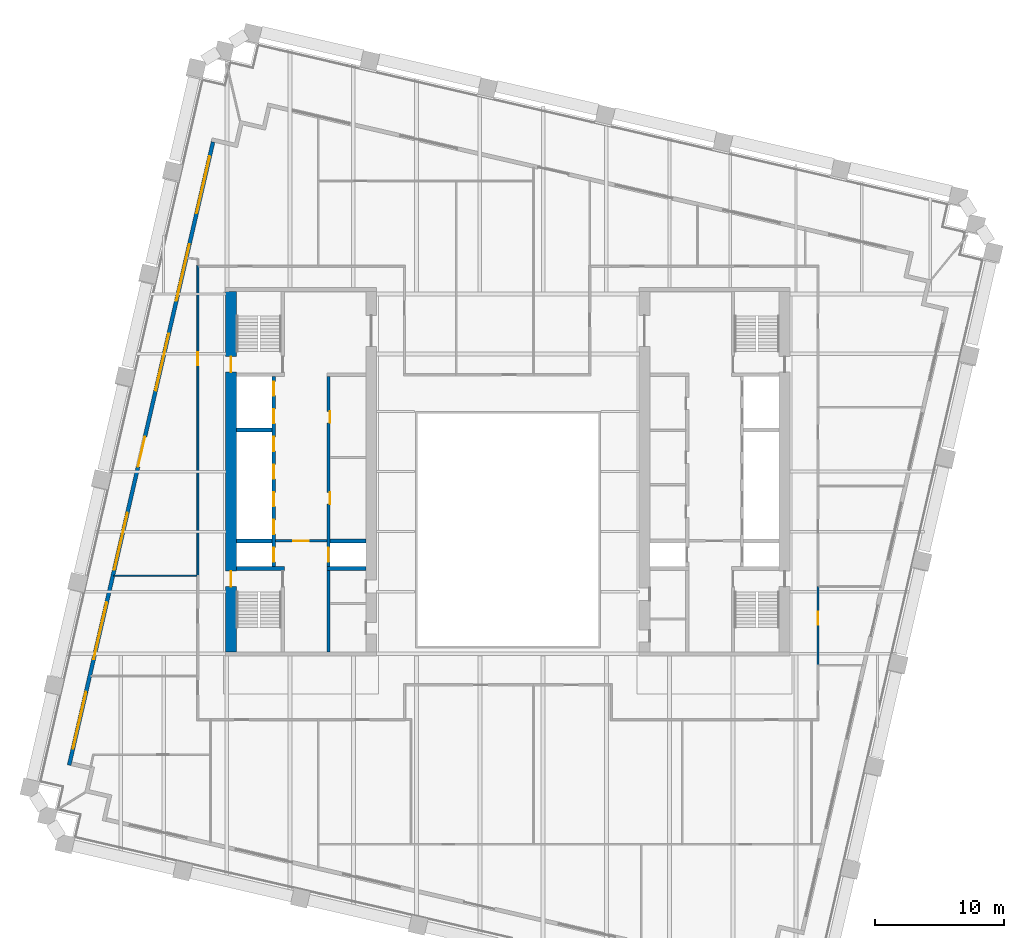
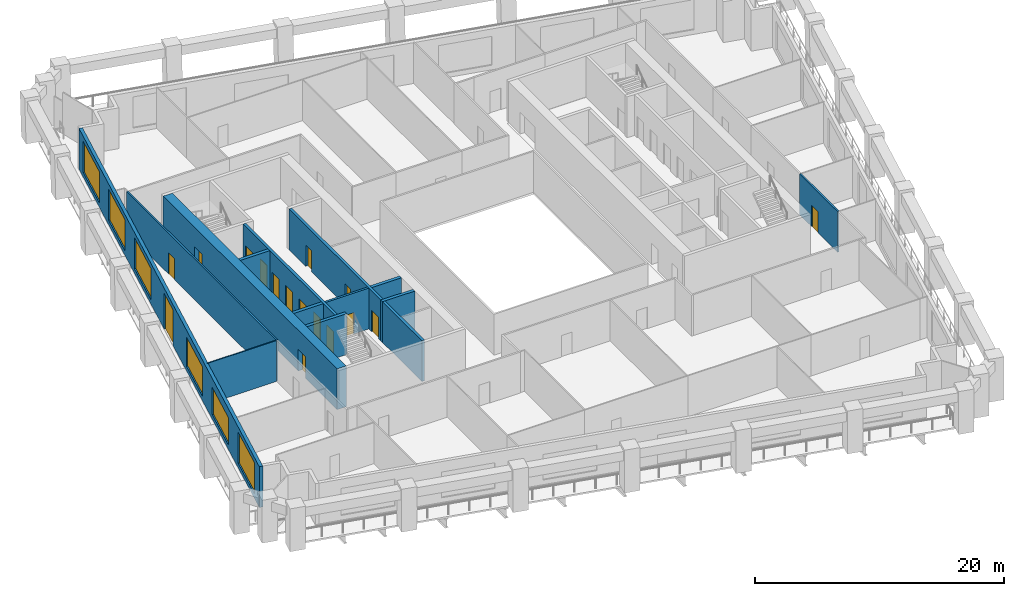
# One storey, part 5 of 9: 16 doors, 13 walls, 6 windows, 22 openings.
"""IFC4 building model written with IfcOpenShell, lengths in metres."""

from ifc_helpers import new_model, si_unit, direction, frame, frame_2d, origin, place, context, subcontext, project, spatial, rectangle, extrude, material, layer, layer_set, type_object, element, fill, save


model = new_model("IFC4")

# Units and contexts
model_context = context("Model", 3, precision=1e-05, world=origin(), true_north=direction((0.0, 1.0)))
body_context = subcontext(model_context, "Body", "Model", "MODEL_VIEW")
ifc_project = project(units=[si_unit("LENGTHUNIT", "METRE"), si_unit("AREAUNIT", "SQUARE_METRE"), si_unit("VOLUMEUNIT", "CUBIC_METRE"), si_unit("PLANEANGLEUNIT", "RADIAN"), si_unit("MASSUNIT", "GRAM", prefix="KILO")], contexts=[model_context])

# Site, building, storey
site_placement = place(None, origin())
site = spatial("IfcSite", under=ifc_project, at=site_placement, CompositionType="ELEMENT")
building_placement = place(site_placement, origin())
building = spatial("IfcBuilding", under=site, at=building_placement, Name="Ogive Exchange Tower", CompositionType="ELEMENT")
storey_placement = place(building_placement, frame((0.0, 0.0, 126.60009765625)))
storey = spatial("IfcBuildingStorey", under=building, at=storey_placement, Name="L27", CompositionType="ELEMENT", Elevation=126.60009765625)

# Wall, opening, door
ifc_material_1 = material(Name="Fire partition EI 60 150")
ifc_layer_1 = layer(ifc_material_1, 0.14990234375)
ifc_layer_set_1 = layer_set([ifc_layer_1], Name="Fire partition EI 60 150")
wall_type_1 = type_object("IfcWallType", Name="Fire partition EI 60 150", PredefinedType="PARTITIONING", material=ifc_layer_set_1)
wall_1_placement = place(storey_placement, frame((-24.0, 3.449951171875, 0.0), z_axis=(0.0, 0.0, 1.0), x_axis=(0.0, 1.0, 0.0)))
wall_1 = element("IfcWall", 1, at=wall_1_placement, inside=storey, type_object=wall_type_1, Name="L27-PWL-007", PredefinedType="PARTITIONING", context=body_context, shape_type="SweptSolid", body=[
    extrude(rectangle(XDim=24.025146484375, YDim=0.14990234375, at=frame_2d((12.0126953125, 0.0))), origin(), (0.0, 0.0, 1.0), 4.0),
])
opening_1_placement = place(wall_1_placement, frame((16.300048828125, 0.0, 0.0)))
opening_1 = element("IfcOpeningElement", 2, at=opening_1_placement, cuts=wall_1, Name="Opening L27-I19", PredefinedType="OPENING", context=body_context, shape_type="SweptSolid", body=[
    extrude(rectangle(XDim=1.0, YDim=2.10009765625, at=frame_2d((0.5, 1.050048828125))), frame((0.0, 0.0849609375, 0.0), z_axis=(0.0, -1.0, 0.0), x_axis=(1.0, 0.0, 0.0)), (0.0, 0.0, 1.0), 0.169921875),
])
ifc_material_2 = material(Name="Fire door FD 30S 1000 x 2100")
door_type_1 = type_object("IfcDoorType", Name="Fire door FD 30S 1000 x 2100", OperationType="NOTDEFINED", PredefinedType="DOOR", material=ifc_material_2)
door_1_placement = place(opening_1_placement, origin())
door_1 = element("IfcDoor", 3, at=door_1_placement, inside=storey, type_object=door_type_1, Name="L27-IDR-019", ObjectType="DT3", OperationType="SINGLE_SWING_LEFT", OverallHeight=2.10009765625, OverallWidth=1.0, PredefinedType="DOOR", context=body_context, shape_type="SweptSolid", body=[
    extrude(rectangle(XDim=1.0, YDim=2.10009765625, at=frame_2d((0.5, 1.050048828125))), frame((0.0, 0.02490234375, 0.0), z_axis=(0.0, -1.0, 0.0), x_axis=(1.0, 0.0, 0.0)), (0.0, 0.0, 1.0), 0.050048828125),
])
fill(opening_1, door_1)

wall_2_placement = place(storey_placement, frame((24.0, 2.610107421875, 0.0), z_axis=(0.0, 0.0, 1.0), x_axis=(0.0, -1.0, 0.0)))
wall_2 = element("IfcWall", 4, at=wall_2_placement, inside=storey, type_object=wall_type_1, Name="L27-PWL-059", PredefinedType="PARTITIONING", context=body_context, shape_type="SweptSolid", body=[
    extrude(rectangle(XDim=6.090087890625, YDim=0.14990234375, at=frame_2d((3.044921875, 0.0))), origin(), (0.0, 0.0, 1.0), 4.0),
])
opening_2_placement = place(wall_2_placement, frame((1.93994140625, 0.0, 0.0)))
opening_2 = element("IfcOpeningElement", 5, at=opening_2_placement, cuts=wall_2, Name="Opening L27-I08", PredefinedType="OPENING", context=body_context, shape_type="SweptSolid", body=[
    extrude(rectangle(XDim=1.0, YDim=2.10009765625, at=frame_2d((0.5, 1.050048828125))), frame((0.0, 0.0849609375, 0.0), z_axis=(0.0, -1.0, 0.0), x_axis=(1.0, 0.0, 0.0)), (0.0, 0.0, 1.0), 0.169921875),
])
door_2_placement = place(opening_2_placement, origin())
door_2 = element("IfcDoor", 6, at=door_2_placement, inside=storey, type_object=door_type_1, Name="L27-IDR-008", ObjectType="DT3", OperationType="SINGLE_SWING_RIGHT", OverallHeight=2.10009765625, OverallWidth=1.0, PredefinedType="DOOR", context=body_context, shape_type="SweptSolid", body=[
    extrude(rectangle(XDim=1.0, YDim=2.10009765625, at=frame_2d((0.5, 1.050048828125))), frame((0.0, 0.02490234375, 0.0), z_axis=(0.0, -1.0, 0.0), x_axis=(1.0, 0.0, 0.0)), (0.0, 0.0, 1.0), 0.050048828125),
])
fill(opening_2, door_2)

# Wall, openings, door, windows
ifc_material_3 = material(Name="Precast concrete C40/50", Category="concrete")
ifc_layer_2 = layer(ifc_material_3, 0.300048828125)
ifc_layer_set_2 = layer_set([ifc_layer_2], Name="Limestone-faced wall 300")
wall_type_2 = type_object("IfcWallType", Name="Limestone-faced wall 300", PredefinedType="STANDARD", material=ifc_layer_set_2)
wall_3_placement = place(storey_placement, frame((-22.8203125, 37.015625, 0.0), z_axis=(0.0, 0.0, 1.0), x_axis=(-0.224953880882, -0.974369412223, 0.0)))
wall_3 = element("IfcWall", 7, at=wall_3_placement, inside=storey, type_object=wall_type_2, Name="External wall W4", PredefinedType="STANDARD", context=body_context, shape_type="SweptSolid", body=[
    extrude(rectangle(XDim=49.500244140625, YDim=0.300048828125, at=frame_2d((24.75, 0.0))), origin(), (0.0, 0.0, 1.0), 4.0),
])
opening_3_placement = place(wall_3_placement, frame((1.156982421875, 0.0, 0.449951171875)))
opening_3 = element("IfcOpeningElement", 8, at=opening_3_placement, cuts=wall_3, Name="Opening W1", PredefinedType="OPENING", context=body_context, shape_type="SweptSolid", body=[
    extrude(rectangle(XDim=4.5, YDim=3.050048828125, at=frame_2d((2.25, 1.52490234375))), frame((0.0, 0.159912109375, 0.0), z_axis=(0.0, -1.0, 0.0), x_axis=(1.0, 0.0, 0.0)), (0.0, 0.0, 1.0), 0.320068359375),
])
opening_4_placement = place(wall_3_placement, frame((8.121337890625, 0.0, 0.449951171875)))
opening_4 = element("IfcOpeningElement", 9, at=opening_4_placement, cuts=wall_3, Name="Opening W1", PredefinedType="OPENING", context=body_context, shape_type="SweptSolid", body=[
    extrude(rectangle(XDim=4.5, YDim=3.050048828125, at=frame_2d((2.25, 1.52490234375))), frame((0.0, 0.159912109375, 0.0), z_axis=(0.0, -1.0, 0.0), x_axis=(1.0, 0.0, 0.0)), (0.0, 0.0, 1.0), 0.320068359375),
])
opening_5_placement = place(wall_3_placement, frame((15.235595703125, 0.0, 0.449951171875)))
opening_5 = element("IfcOpeningElement", 10, at=opening_5_placement, cuts=wall_3, Name="Opening W1", PredefinedType="OPENING", context=body_context, shape_type="SweptSolid", body=[
    extrude(rectangle(XDim=4.5, YDim=3.050048828125, at=frame_2d((2.25, 1.52490234375))), frame((0.0, 0.159912109375, 0.0), z_axis=(0.0, -1.0, 0.0), x_axis=(1.0, 0.0, 0.0)), (0.0, 0.0, 1.0), 0.320068359375),
])
opening_6_placement = place(wall_3_placement, frame((23.39990234375, 0.0, 0.0)))
opening_6 = element("IfcOpeningElement", 11, at=opening_6_placement, cuts=wall_3, Name="Opening D1", PredefinedType="OPENING", context=body_context, shape_type="SweptSolid", body=[
    extrude(rectangle(XDim=2.39990234375, YDim=3.5, at=frame_2d((1.199951171875, 1.75))), frame((0.0, 0.159912109375, 0.0), z_axis=(0.0, -1.0, 0.0), x_axis=(1.0, 0.0, 0.0)), (0.0, 0.0, 1.0), 0.320068359375),
])
opening_7_placement = place(wall_3_placement, frame((29.464111328125, 0.0, 0.449951171875)))
opening_7 = element("IfcOpeningElement", 12, at=opening_7_placement, cuts=wall_3, Name="Opening W1D", PredefinedType="OPENING", context=body_context, shape_type="SweptSolid", body=[
    extrude(rectangle(XDim=4.5, YDim=2.875, at=frame_2d((2.25, 1.4375))), frame((0.0, 0.159912109375, 0.0), z_axis=(0.0, -1.0, 0.0), x_axis=(1.0, 0.0, 0.0)), (0.0, 0.0, 1.0), 0.320068359375),
])
opening_8_placement = place(wall_3_placement, frame((36.57861328125, 0.0, 0.449951171875)))
opening_8 = element("IfcOpeningElement", 13, at=opening_8_placement, cuts=wall_3, Name="Opening W1J", PredefinedType="OPENING", context=body_context, shape_type="SweptSolid", body=[
    extrude(rectangle(XDim=4.5, YDim=2.675048828125, at=frame_2d((2.25, 1.33740234375))), frame((0.0, 0.159912109375, 0.0), z_axis=(0.0, -1.0, 0.0), x_axis=(1.0, 0.0, 0.0)), (0.0, 0.0, 1.0), 0.320068359375),
])
opening_9_placement = place(wall_3_placement, frame((43.69287109375, 0.0, 0.449951171875)))
opening_9 = element("IfcOpeningElement", 14, at=opening_9_placement, cuts=wall_3, Name="Opening W1", PredefinedType="OPENING", context=body_context, shape_type="SweptSolid", body=[
    extrude(rectangle(XDim=4.5, YDim=3.050048828125, at=frame_2d((2.25, 1.52490234375))), frame((0.0, 0.159912109375, 0.0), z_axis=(0.0, -1.0, 0.0), x_axis=(1.0, 0.0, 0.0)), (0.0, 0.0, 1.0), 0.320068359375),
])
ifc_material_4 = material(Name="Clear glass in bronze frame", Category="glass")
door_type_2 = type_object("IfcDoorType", Name="Sliding loggia door 2400 x 3500", OperationType="DOUBLE_DOOR_SLIDING", PredefinedType="DOOR", material=ifc_material_4)
door_3_placement = place(opening_6_placement, origin())
door_3 = element("IfcDoor", 15, at=door_3_placement, inside=storey, type_object=door_type_2, Name="Loggia door W03", OperationType="DOUBLE_DOOR_SLIDING", OverallHeight=3.5, OverallWidth=2.39990234375, PredefinedType="DOOR", context=body_context, shape_type="SweptSolid", body=[
    extrude(rectangle(XDim=2.39990234375, YDim=3.5, at=frame_2d((1.199951171875, 1.75))), frame((0.0, 0.02490234375, 0.0), z_axis=(0.0, -1.0, 0.0), x_axis=(1.0, 0.0, 0.0)), (0.0, 0.0, 1.0), 0.050048828125),
])
fill(opening_6, door_3)
window_type_1 = type_object("IfcWindowType", Name="Twin lancet window 4500 x 2675", PartitioningType="DOUBLE_PANEL_VERTICAL", PredefinedType="WINDOW", material=ifc_material_4)
window_1_placement = place(opening_8_placement, origin())
window_1 = element("IfcWindow", 16, at=window_1_placement, inside=storey, type_object=window_type_1, Name="Window W05", OverallHeight=2.675048828125, OverallWidth=4.5, PartitioningType="DOUBLE_PANEL_VERTICAL", PredefinedType="WINDOW", context=body_context, shape_type="SweptSolid", body=[
    extrude(rectangle(XDim=4.5, YDim=2.675048828125, at=frame_2d((2.25, 1.33740234375))), frame((0.0, 0.030029296875, 0.0), z_axis=(0.0, -1.0, 0.0), x_axis=(1.0, 0.0, 0.0)), (0.0, 0.0, 1.0), 0.06005859375),
])
fill(opening_8, window_1)
window_type_2 = type_object("IfcWindowType", Name="Twin lancet window 4500 x 2875", PartitioningType="DOUBLE_PANEL_VERTICAL", PredefinedType="WINDOW", material=ifc_material_4)
window_2_placement = place(opening_7_placement, origin())
window_2 = element("IfcWindow", 17, at=window_2_placement, inside=storey, type_object=window_type_2, Name="Window W04", OverallHeight=2.875, OverallWidth=4.5, PartitioningType="DOUBLE_PANEL_VERTICAL", PredefinedType="WINDOW", context=body_context, shape_type="SweptSolid", body=[
    extrude(rectangle(XDim=4.5, YDim=2.875, at=frame_2d((2.25, 1.4375))), frame((0.0, 0.030029296875, 0.0), z_axis=(0.0, -1.0, 0.0), x_axis=(1.0, 0.0, 0.0)), (0.0, 0.0, 1.0), 0.06005859375),
])
fill(opening_7, window_2)
window_type_3 = type_object("IfcWindowType", Name="Twin lancet window 4500 x 3050", PartitioningType="DOUBLE_PANEL_VERTICAL", PredefinedType="WINDOW", material=ifc_material_4)
window_3_placement = place(opening_3_placement, origin())
window_3 = element("IfcWindow", 18, at=window_3_placement, inside=storey, type_object=window_type_3, Name="Window W00", OverallHeight=3.050048828125, OverallWidth=4.5, PartitioningType="DOUBLE_PANEL_VERTICAL", PredefinedType="WINDOW", context=body_context, shape_type="SweptSolid", body=[
    extrude(rectangle(XDim=4.5, YDim=3.050048828125, at=frame_2d((2.25, 1.52490234375))), frame((0.0, 0.030029296875, 0.0), z_axis=(0.0, -1.0, 0.0), x_axis=(1.0, 0.0, 0.0)), (0.0, 0.0, 1.0), 0.06005859375),
])
fill(opening_3, window_3)
window_4_placement = place(opening_4_placement, origin())
window_4 = element("IfcWindow", 19, at=window_4_placement, inside=storey, type_object=window_type_3, Name="Window W01", OverallHeight=3.050048828125, OverallWidth=4.5, PartitioningType="DOUBLE_PANEL_VERTICAL", PredefinedType="WINDOW", context=body_context, shape_type="SweptSolid", body=[
    extrude(rectangle(XDim=4.5, YDim=3.050048828125, at=frame_2d((2.25, 1.52490234375))), frame((0.0, 0.030029296875, 0.0), z_axis=(0.0, -1.0, 0.0), x_axis=(1.0, 0.0, 0.0)), (0.0, 0.0, 1.0), 0.06005859375),
])
fill(opening_4, window_4)
window_5_placement = place(opening_5_placement, origin())
window_5 = element("IfcWindow", 20, at=window_5_placement, inside=storey, type_object=window_type_3, Name="Window W02", OverallHeight=3.050048828125, OverallWidth=4.5, PartitioningType="DOUBLE_PANEL_VERTICAL", PredefinedType="WINDOW", context=body_context, shape_type="SweptSolid", body=[
    extrude(rectangle(XDim=4.5, YDim=3.050048828125, at=frame_2d((2.25, 1.52490234375))), frame((0.0, 0.030029296875, 0.0), z_axis=(0.0, -1.0, 0.0), x_axis=(1.0, 0.0, 0.0)), (0.0, 0.0, 1.0), 0.06005859375),
])
fill(opening_5, window_5)
window_6_placement = place(opening_9_placement, origin())
window_6 = element("IfcWindow", 21, at=window_6_placement, inside=storey, type_object=window_type_3, Name="Window W06", OverallHeight=3.050048828125, OverallWidth=4.5, PartitioningType="DOUBLE_PANEL_VERTICAL", PredefinedType="WINDOW", context=body_context, shape_type="SweptSolid", body=[
    extrude(rectangle(XDim=4.5, YDim=3.050048828125, at=frame_2d((2.25, 1.52490234375))), frame((0.0, 0.030029296875, 0.0), z_axis=(0.0, -1.0, 0.0), x_axis=(1.0, 0.0, 0.0)), (0.0, 0.0, 1.0), 0.06005859375),
])
fill(opening_9, window_6)

# Wall
ifc_material_5 = material(Name="Partition 100 gypsum")
ifc_layer_3 = layer(ifc_material_5, 0.10009765625)
ifc_layer_set_3 = layer_set([ifc_layer_3], Name="Partition 100 gypsum")
wall_type_3 = type_object("IfcWallType", Name="Partition 100 gypsum", PredefinedType="PARTITIONING", material=ifc_layer_set_3)
wall_4_placement = place(storey_placement, frame((-24.074951171875, 3.449951171875, 0.0), z_axis=(0.0, 0.0, 1.0), x_axis=(-1.0, 0.0, 0.0)))
element("IfcWall", 22, at=wall_4_placement, inside=storey, type_object=wall_type_3, Name="L27-PWL-006", PredefinedType="PARTITIONING", context=body_context, shape_type="SweptSolid", body=[
    extrude(rectangle(XDim=6.423095703125, YDim=0.10009765625, at=frame_2d((3.21142578125, 0.0))), origin(), (0.0, 0.0, 1.0), 4.0),
])

# Wall, opening, door
ifc_material_6 = material(Name="Concrete C70/85", Category="concrete")
ifc_layer_4 = layer(ifc_material_6, 0.199951171875)
ifc_layer_set_4 = layer_set([ifc_layer_4], Name="RC core wall 200 C70/85")
wall_type_4 = type_object("IfcWallType", Name="RC core wall 200 C70/85", PredefinedType="SHEAR", material=ifc_layer_set_4)
wall_5_placement = place(storey_placement, frame((-18.0, 6.142822265625, 0.0), z_axis=(0.0, 0.0, 1.0), x_axis=(1.0, 0.0, 0.0)))
wall_5 = element("IfcWall", 23, at=wall_5_placement, inside=storey, type_object=wall_type_4, Name="W firefighting lobby wall", PredefinedType="SHEAR", context=body_context, shape_type="SweptSolid", body=[
    extrude(rectangle(XDim=4.0, YDim=0.199951171875, at=frame_2d((2.0, 0.0))), origin(), (0.0, 0.0, 1.0), 4.0),
])
opening_10_placement = place(wall_5_placement, frame((1.39990234375, 0.0, 0.0)))
opening_10 = element("IfcOpeningElement", 24, at=opening_10_placement, cuts=wall_5, Name="Opening L27-C11", PredefinedType="OPENING", context=body_context, shape_type="SweptSolid", body=[
    extrude(rectangle(XDim=1.199951171875, YDim=2.10009765625, at=frame_2d((0.60009765625, 1.050048828125))), frame((0.0, 0.10986328125, 0.0), z_axis=(0.0, -1.0, 0.0), x_axis=(1.0, 0.0, 0.0)), (0.0, 0.0, 1.0), 0.219970703125),
])
ifc_material_7 = material(Name="Steel fire door", Category="steel")
door_type_3 = type_object("IfcDoorType", Name="Firefighting lobby door FD60 1200 x 2100", OperationType="NOTDEFINED", PredefinedType="DOOR", material=ifc_material_7)
door_4_placement = place(opening_10_placement, frame((1.199951171875, 0.0, 0.0), z_axis=(0.0, 0.0, 1.0), x_axis=(-1.0, 0.0, 0.0)))
door_4 = element("IfcDoor", 25, at=door_4_placement, inside=storey, type_object=door_type_3, Name="Firefighting lobby door", ObjectType="CD3", OperationType="SINGLE_SWING_RIGHT", OverallHeight=2.10009765625, OverallWidth=1.199951171875, PredefinedType="DOOR", context=body_context, shape_type="SweptSolid", body=[
    extrude(rectangle(XDim=1.199951171875, YDim=2.10009765625, at=frame_2d((0.60009765625, 1.050048828125))), frame((0.0, 0.02490234375, 0.0), z_axis=(0.0, -1.0, 0.0), x_axis=(1.0, 0.0, 0.0)), (0.0, 0.0, 1.0), 0.050048828125),
])
fill(opening_10, door_4)

# Wall, openings, doors
ifc_layer_5 = layer(ifc_material_6, 0.25)
ifc_layer_set_5 = layer_set([ifc_layer_5], Name="RC core wall 250 C70/85")
wall_type_5 = type_object("IfcWallType", Name="RC core wall 250 C70/85", PredefinedType="SHEAR", material=ifc_layer_set_5)
wall_6_placement = place(storey_placement, frame((-18.125, 4.14990234375, 0.0), z_axis=(0.0, 0.0, 1.0), x_axis=(0.0, 1.0, 0.0)))
wall_6 = element("IfcWall", 26, at=wall_6_placement, inside=storey, type_object=wall_type_5, Name="W row A front wall", PredefinedType="SHEAR", context=body_context, shape_type="SweptSolid", body=[
    extrude(rectangle(XDim=14.7001953125, YDim=0.25, at=frame_2d((7.35009765625, 0.0))), origin(), (0.0, 0.0, 1.0), 4.0),
])
opening_11_placement = place(wall_6_placement, frame((0.371337890625, 0.0, 0.0)))
opening_11 = element("IfcOpeningElement", 27, at=opening_11_placement, cuts=wall_6, Name="Opening L27-C01", PredefinedType="OPENING", context=body_context, shape_type="SweptSolid", body=[
    extrude(rectangle(XDim=1.10009765625, YDim=2.10009765625, at=frame_2d((0.550048828125, 1.050048828125))), frame((0.0, 0.135009765625, 0.0), z_axis=(0.0, -1.0, 0.0), x_axis=(1.0, 0.0, 0.0)), (0.0, 0.0, 1.0), 0.27001953125),
])
opening_12_placement = place(wall_6_placement, frame((2.514404296875, 0.0, 0.0)))
opening_12 = element("IfcOpeningElement", 28, at=opening_12_placement, cuts=wall_6, Name="Opening L27-C02", PredefinedType="OPENING", context=body_context, shape_type="SweptSolid", body=[
    extrude(rectangle(XDim=1.10009765625, YDim=2.10009765625, at=frame_2d((0.550048828125, 1.050048828125))), frame((0.0, 0.135009765625, 0.0), z_axis=(0.0, -1.0, 0.0), x_axis=(1.0, 0.0, 0.0)), (0.0, 0.0, 1.0), 0.27001953125),
])
opening_13_placement = place(wall_6_placement, frame((4.656982421875, 0.0, 0.0)))
opening_13 = element("IfcOpeningElement", 29, at=opening_13_placement, cuts=wall_6, Name="Opening L27-C03", PredefinedType="OPENING", context=body_context, shape_type="SweptSolid", body=[
    extrude(rectangle(XDim=1.10009765625, YDim=2.10009765625, at=frame_2d((0.550048828125, 1.050048828125))), frame((0.0, 0.135009765625, 0.0), z_axis=(0.0, -1.0, 0.0), x_axis=(1.0, 0.0, 0.0)), (0.0, 0.0, 1.0), 0.27001953125),
])
opening_14_placement = place(wall_6_placement, frame((6.800048828125, 0.0, 0.0)))
opening_14 = element("IfcOpeningElement", 30, at=opening_14_placement, cuts=wall_6, Name="Opening L27-C04", PredefinedType="OPENING", context=body_context, shape_type="SweptSolid", body=[
    extrude(rectangle(XDim=1.10009765625, YDim=2.10009765625, at=frame_2d((0.550048828125, 1.050048828125))), frame((0.0, 0.135009765625, 0.0), z_axis=(0.0, -1.0, 0.0), x_axis=(1.0, 0.0, 0.0)), (0.0, 0.0, 1.0), 0.27001953125),
])
opening_15_placement = place(wall_6_placement, frame((8.94287109375, 0.0, 0.0)))
opening_15 = element("IfcOpeningElement", 31, at=opening_15_placement, cuts=wall_6, Name="Opening L27-C05", PredefinedType="OPENING", context=body_context, shape_type="SweptSolid", body=[
    extrude(rectangle(XDim=1.10009765625, YDim=2.10009765625, at=frame_2d((0.550048828125, 1.050048828125))), frame((0.0, 0.135009765625, 0.0), z_axis=(0.0, -1.0, 0.0), x_axis=(1.0, 0.0, 0.0)), (0.0, 0.0, 1.0), 0.27001953125),
])
opening_16_placement = place(wall_6_placement, frame((11.085693359375, 0.0, 0.0)))
opening_16 = element("IfcOpeningElement", 32, at=opening_16_placement, cuts=wall_6, Name="Opening L27-C06", PredefinedType="OPENING", context=body_context, shape_type="SweptSolid", body=[
    extrude(rectangle(XDim=1.10009765625, YDim=2.10009765625, at=frame_2d((0.550048828125, 1.050048828125))), frame((0.0, 0.135009765625, 0.0), z_axis=(0.0, -1.0, 0.0), x_axis=(1.0, 0.0, 0.0)), (0.0, 0.0, 1.0), 0.27001953125),
])
opening_17_placement = place(wall_6_placement, frame((13.228515625, 0.0, 0.0)))
opening_17 = element("IfcOpeningElement", 33, at=opening_17_placement, cuts=wall_6, Name="Opening L27-C07", PredefinedType="OPENING", context=body_context, shape_type="SweptSolid", body=[
    extrude(rectangle(XDim=1.10009765625, YDim=2.10009765625, at=frame_2d((0.550048828125, 1.050048828125))), frame((0.0, 0.135009765625, 0.0), z_axis=(0.0, -1.0, 0.0), x_axis=(1.0, 0.0, 0.0)), (0.0, 0.0, 1.0), 0.27001953125),
])
ifc_material_8 = material(Name="Stainless steel", Category="steel")
door_type_4 = type_object("IfcDoorType", Name="Lift landing door FD90 1100 x 2100", OperationType="SLIDING_TO_LEFT", PredefinedType="DOOR", material=ifc_material_8)
door_5_placement = place(opening_11_placement, origin())
door_5 = element("IfcDoor", 34, at=door_5_placement, inside=storey, type_object=door_type_4, Name="Lift landing door FF1", ObjectType="LD", OperationType="SLIDING_TO_LEFT", OverallHeight=2.10009765625, OverallWidth=1.10009765625, PredefinedType="DOOR", context=body_context, shape_type="SweptSolid", body=[
    extrude(rectangle(XDim=1.10009765625, YDim=2.10009765625, at=frame_2d((0.550048828125, 1.050048828125))), frame((0.0, 0.02490234375, 0.0), z_axis=(0.0, -1.0, 0.0), x_axis=(1.0, 0.0, 0.0)), (0.0, 0.0, 1.0), 0.050048828125),
])
fill(opening_11, door_5)
door_6_placement = place(opening_12_placement, origin())
door_6 = element("IfcDoor", 35, at=door_6_placement, inside=storey, type_object=door_type_4, Name="Lift landing door W-L1", ObjectType="LD", OperationType="SLIDING_TO_LEFT", OverallHeight=2.10009765625, OverallWidth=1.10009765625, PredefinedType="DOOR", context=body_context, shape_type="SweptSolid", body=[
    extrude(rectangle(XDim=1.10009765625, YDim=2.10009765625, at=frame_2d((0.550048828125, 1.050048828125))), frame((0.0, 0.02490234375, 0.0), z_axis=(0.0, -1.0, 0.0), x_axis=(1.0, 0.0, 0.0)), (0.0, 0.0, 1.0), 0.050048828125),
])
fill(opening_12, door_6)
door_7_placement = place(opening_13_placement, origin())
door_7 = element("IfcDoor", 36, at=door_7_placement, inside=storey, type_object=door_type_4, Name="Lift landing door W-L2", ObjectType="LD", OperationType="SLIDING_TO_LEFT", OverallHeight=2.10009765625, OverallWidth=1.10009765625, PredefinedType="DOOR", context=body_context, shape_type="SweptSolid", body=[
    extrude(rectangle(XDim=1.10009765625, YDim=2.10009765625, at=frame_2d((0.550048828125, 1.050048828125))), frame((0.0, 0.02490234375, 0.0), z_axis=(0.0, -1.0, 0.0), x_axis=(1.0, 0.0, 0.0)), (0.0, 0.0, 1.0), 0.050048828125),
])
fill(opening_13, door_7)
door_8_placement = place(opening_14_placement, origin())
door_8 = element("IfcDoor", 37, at=door_8_placement, inside=storey, type_object=door_type_4, Name="Lift landing door W-L3", ObjectType="LD", OperationType="SLIDING_TO_LEFT", OverallHeight=2.10009765625, OverallWidth=1.10009765625, PredefinedType="DOOR", context=body_context, shape_type="SweptSolid", body=[
    extrude(rectangle(XDim=1.10009765625, YDim=2.10009765625, at=frame_2d((0.550048828125, 1.050048828125))), frame((0.0, 0.02490234375, 0.0), z_axis=(0.0, -1.0, 0.0), x_axis=(1.0, 0.0, 0.0)), (0.0, 0.0, 1.0), 0.050048828125),
])
fill(opening_14, door_8)
door_9_placement = place(opening_15_placement, origin())
door_9 = element("IfcDoor", 38, at=door_9_placement, inside=storey, type_object=door_type_4, Name="Lift landing door W-L4", ObjectType="LD", OperationType="SLIDING_TO_LEFT", OverallHeight=2.10009765625, OverallWidth=1.10009765625, PredefinedType="DOOR", context=body_context, shape_type="SweptSolid", body=[
    extrude(rectangle(XDim=1.10009765625, YDim=2.10009765625, at=frame_2d((0.550048828125, 1.050048828125))), frame((0.0, 0.02490234375, 0.0), z_axis=(0.0, -1.0, 0.0), x_axis=(1.0, 0.0, 0.0)), (0.0, 0.0, 1.0), 0.050048828125),
])
fill(opening_15, door_9)
door_10_placement = place(opening_16_placement, origin())
door_10 = element("IfcDoor", 39, at=door_10_placement, inside=storey, type_object=door_type_4, Name="Lift landing door W-SH1", ObjectType="LD", OperationType="SLIDING_TO_LEFT", OverallHeight=2.10009765625, OverallWidth=1.10009765625, PredefinedType="DOOR", context=body_context, shape_type="SweptSolid", body=[
    extrude(rectangle(XDim=1.10009765625, YDim=2.10009765625, at=frame_2d((0.550048828125, 1.050048828125))), frame((0.0, 0.02490234375, 0.0), z_axis=(0.0, -1.0, 0.0), x_axis=(1.0, 0.0, 0.0)), (0.0, 0.0, 1.0), 0.050048828125),
])
fill(opening_16, door_10)
door_11_placement = place(opening_17_placement, origin())
door_11 = element("IfcDoor", 40, at=door_11_placement, inside=storey, type_object=door_type_4, Name="Lift landing door W-SH2", ObjectType="LD", OperationType="SLIDING_TO_LEFT", OverallHeight=2.10009765625, OverallWidth=1.10009765625, PredefinedType="DOOR", context=body_context, shape_type="SweptSolid", body=[
    extrude(rectangle(XDim=1.10009765625, YDim=2.10009765625, at=frame_2d((0.550048828125, 1.050048828125))), frame((0.0, 0.02490234375, 0.0), z_axis=(0.0, -1.0, 0.0), x_axis=(1.0, 0.0, 0.0)), (0.0, 0.0, 1.0), 0.050048828125),
])
fill(opening_17, door_11)

wall_7_placement = place(storey_placement, frame((-13.875, -2.449951171875, 0.0), z_axis=(0.0, 0.0, 1.0), x_axis=(0.0, 1.0, 0.0)))
wall_7 = element("IfcWall", 41, at=wall_7_placement, inside=storey, type_object=wall_type_5, Name="W row B front wall", PredefinedType="SHEAR", context=body_context, shape_type="SweptSolid", body=[
    extrude(rectangle(XDim=21.300048828125, YDim=0.25, at=frame_2d((10.64990234375, 0.0))), origin(), (0.0, 0.0, 1.0), 4.0),
])
opening_18_placement = place(wall_7_placement, frame((11.4462890625, 0.0, 0.0)))
opening_18 = element("IfcOpeningElement", 42, at=opening_18_placement, cuts=wall_7, Name="Opening L27-C08", PredefinedType="OPENING", context=body_context, shape_type="SweptSolid", body=[
    extrude(rectangle(XDim=0.89990234375, YDim=2.10009765625, at=frame_2d((0.449951171875, 1.050048828125))), frame((0.0, 0.135009765625, 0.0), z_axis=(0.0, -1.0, 0.0), x_axis=(1.0, 0.0, 0.0)), (0.0, 0.0, 1.0), 0.27001953125),
])
opening_19_placement = place(wall_7_placement, frame((17.72509765625, 0.0, 0.0)))
opening_19 = element("IfcOpeningElement", 43, at=opening_19_placement, cuts=wall_7, Name="Opening L27-C09", PredefinedType="OPENING", context=body_context, shape_type="SweptSolid", body=[
    extrude(rectangle(XDim=0.89990234375, YDim=2.10009765625, at=frame_2d((0.449951171875, 1.050048828125))), frame((0.0, 0.135009765625, 0.0), z_axis=(0.0, -1.0, 0.0), x_axis=(1.0, 0.0, 0.0)), (0.0, 0.0, 1.0), 0.27001953125),
])
opening_20_placement = place(wall_7_placement, frame((6.971435546875, 0.0, 0.0)))
opening_20 = element("IfcOpeningElement", 44, at=opening_20_placement, cuts=wall_7, Name="Opening L27-C10", PredefinedType="OPENING", context=body_context, shape_type="SweptSolid", body=[
    extrude(rectangle(XDim=1.10009765625, YDim=2.10009765625, at=frame_2d((0.550048828125, 1.050048828125))), frame((0.0, 0.135009765625, 0.0), z_axis=(0.0, -1.0, 0.0), x_axis=(1.0, 0.0, 0.0)), (0.0, 0.0, 1.0), 0.27001953125),
])
ifc_material_9 = material(Name="Timber fire door", Category="wood")
door_type_5 = type_object("IfcDoorType", Name="Core room door FD30S 900 x 2100", OperationType="NOTDEFINED", PredefinedType="DOOR", material=ifc_material_9)
door_12_placement = place(opening_18_placement, frame((0.89990234375, -0.2001953125, 0.0), z_axis=(0.0, 0.0, 1.0), x_axis=(-1.0, 0.0, 0.0)))
door_12 = element("IfcDoor", 45, at=door_12_placement, inside=storey, type_object=door_type_5, Name="Core room door", ObjectType="CD6", OperationType="SINGLE_SWING_LEFT", OverallHeight=2.10009765625, OverallWidth=0.89990234375, PredefinedType="DOOR", context=body_context, shape_type="SweptSolid", body=[
    extrude(rectangle(XDim=0.89990234375, YDim=2.10009765625, at=frame_2d((0.449951171875, 1.050048828125))), frame((0.0, -0.0751953125, 0.0), z_axis=(0.0, -1.0, 0.0), x_axis=(1.0, 0.0, 0.0)), (0.0, 0.0, 1.0), 0.050048828125),
])
fill(opening_18, door_12)
door_13_placement = place(opening_20_placement, origin())
door_13 = element("IfcDoor", 46, at=door_13_placement, inside=storey, type_object=door_type_4, Name="Lift landing door SV1", ObjectType="LD", OperationType="SLIDING_TO_LEFT", OverallHeight=2.10009765625, OverallWidth=1.10009765625, PredefinedType="DOOR", context=body_context, shape_type="SweptSolid", body=[
    extrude(rectangle(XDim=1.10009765625, YDim=2.10009765625, at=frame_2d((0.550048828125, 1.050048828125))), frame((0.0, 0.02490234375, 0.0), z_axis=(0.0, -1.0, 0.0), x_axis=(1.0, 0.0, 0.0)), (0.0, 0.0, 1.0), 0.050048828125),
])
fill(opening_20, door_13)
door_type_6 = type_object("IfcDoorType", Name="Riser door FD60 900 x 2100", OperationType="NOTDEFINED", PredefinedType="DOOR", material=ifc_material_7)
door_14_placement = place(opening_19_placement, frame((0.89990234375, -0.2001953125, 0.0), z_axis=(0.0, 0.0, 1.0), x_axis=(-1.0, 0.0, 0.0)))
door_14 = element("IfcDoor", 47, at=door_14_placement, inside=storey, type_object=door_type_6, Name="Riser door", ObjectType="CD2", OperationType="SINGLE_SWING_LEFT", OverallHeight=2.10009765625, OverallWidth=0.89990234375, PredefinedType="DOOR", context=body_context, shape_type="SweptSolid", body=[
    extrude(rectangle(XDim=0.89990234375, YDim=2.10009765625, at=frame_2d((0.449951171875, 1.050048828125))), frame((0.0, -0.0751953125, 0.0), z_axis=(0.0, -1.0, 0.0), x_axis=(1.0, 0.0, 0.0)), (0.0, 0.0, 1.0), 0.050048828125),
])
fill(opening_19, door_14)

# Walls
ifc_layer_6 = layer(ifc_material_6, 0.300048828125)
ifc_layer_set_6 = layer_set([ifc_layer_6], Name="RC core wall 300 C70/85")
wall_type_6 = type_object("IfcWallType", Name="RC core wall 300 C70/85", PredefinedType="SHEAR", material=ifc_layer_set_6)
wall_8_placement = place(storey_placement, frame((-21.0, 4.0, 0.0), z_axis=(0.0, 0.0, 1.0), x_axis=(1.0, 0.0, 0.0)))
element("IfcWall", 48, at=wall_8_placement, inside=storey, type_object=wall_type_6, Name="W stair S north wall", PredefinedType="SHEAR", context=body_context, shape_type="SweptSolid", body=[
    extrude(rectangle(XDim=3.699951171875, YDim=0.300048828125, at=frame_2d((1.85009765625, 0.0))), origin(), (0.0, 0.0, 1.0), 4.0),
])
for number, where, z_axis, x_axis, name in (
    (49, (-21.0, 6.142822265625, 0.0), (0.0, 0.0, 1.0), (1.0, 0.0, 0.0), "W row A divider 1"),
    (50, (-21.0, 14.71435546875, 0.0), (0.0, 0.0, 1.0), (1.0, 0.0, 0.0), "W row A divider 5"),
):
    element("IfcWall", number, at=place(storey_placement, frame(where, z_axis=z_axis, x_axis=x_axis)), inside=storey, type_object=wall_type_6, Name=name, PredefinedType="SHEAR", context=body_context, shape_type="SweptSolid", body=[
        extrude(rectangle(XDim=2.75, YDim=0.300048828125, at=frame_2d((1.375, 0.0))), origin(), (0.0, 0.0, 1.0), 4.0),
    ])
wall_9_placement = place(storey_placement, frame((-14.0, 4.0, 0.0), z_axis=(0.0, 0.0, 1.0), x_axis=(1.0, 0.0, 0.0)))
element("IfcWall", 51, at=wall_9_placement, inside=storey, type_object=wall_type_6, Name="W row B divider 0", PredefinedType="SHEAR", context=body_context, shape_type="SweptSolid", body=[
    extrude(rectangle(XDim=3.0, YDim=0.300048828125, at=frame_2d((1.5, 0.0))), origin(), (0.0, 0.0, 1.0), 4.0),
])
wall_10_placement = place(storey_placement, frame((-13.75, 6.142822265625, 0.0), z_axis=(0.0, 0.0, 1.0), x_axis=(1.0, 0.0, 0.0)))
element("IfcWall", 52, at=wall_10_placement, inside=storey, type_object=wall_type_6, Name="W row B divider 1", PredefinedType="SHEAR", context=body_context, shape_type="SweptSolid", body=[
    extrude(rectangle(XDim=2.75, YDim=0.300048828125, at=frame_2d((1.375, 0.0))), origin(), (0.0, 0.0, 1.0), 4.0),
])

# Wall, openings, doors
ifc_layer_7 = layer(ifc_material_6, 0.85009765625)
ifc_layer_set_7 = layer_set([ifc_layer_7], Name="RC core wall 850 C70/85")
wall_type_7 = type_object("IfcWallType", Name="RC core wall 850 C70/85", PredefinedType="SHEAR", material=ifc_layer_set_7)
wall_11_placement = place(storey_placement, frame((-21.425048828125, -2.449951171875, 0.0), z_axis=(0.0, 0.0, 1.0), x_axis=(0.0, 1.0, 0.0)))
wall_11 = element("IfcWall", 53, at=wall_11_placement, inside=storey, type_object=wall_type_7, Name="W outer wall", PredefinedType="SHEAR", context=body_context, shape_type="SweptSolid", body=[
    extrude(rectangle(XDim=27.89990234375, YDim=0.85009765625, at=frame_2d((13.949951171875, 0.0))), origin(), (0.0, 0.0, 1.0), 4.0),
])
opening_21_placement = place(wall_11_placement, frame((5.050048828125, 0.0, 0.0)))
opening_21 = element("IfcOpeningElement", 54, at=opening_21_placement, cuts=wall_11, Name="Opening L27-C14", PredefinedType="OPENING", context=body_context, shape_type="SweptSolid", body=[
    extrude(rectangle(XDim=1.199951171875, YDim=2.10009765625, at=frame_2d((0.60009765625, 1.050048828125))), frame((0.0, 0.43505859375, 0.0), z_axis=(0.0, -1.0, 0.0), x_axis=(1.0, 0.0, 0.0)), (0.0, 0.0, 1.0), 0.8701171875),
])
opening_22_placement = place(wall_11_placement, frame((21.64990234375, 0.0, 0.0)))
opening_22 = element("IfcOpeningElement", 55, at=opening_22_placement, cuts=wall_11, Name="Opening L27-C16", PredefinedType="OPENING", context=body_context, shape_type="SweptSolid", body=[
    extrude(rectangle(XDim=1.199951171875, YDim=2.10009765625, at=frame_2d((0.60009765625, 1.050048828125))), frame((0.0, 0.43505859375, 0.0), z_axis=(0.0, -1.0, 0.0), x_axis=(1.0, 0.0, 0.0)), (0.0, 0.0, 1.0), 0.8701171875),
])
door_type_7 = type_object("IfcDoorType", Name="Stair door FD90 1200 x 2100", OperationType="NOTDEFINED", PredefinedType="DOOR", material=ifc_material_7)
door_15_placement = place(opening_21_placement, frame((1.199951171875, 0.0, 0.0), z_axis=(0.0, 0.0, 1.0), x_axis=(-1.0, 0.0, 0.0)))
door_15 = element("IfcDoor", 56, at=door_15_placement, inside=storey, type_object=door_type_7, Name="Stair door", ObjectType="CD5", OperationType="SINGLE_SWING_RIGHT", OverallHeight=2.10009765625, OverallWidth=1.199951171875, PredefinedType="DOOR", context=body_context, shape_type="SweptSolid", body=[
    extrude(rectangle(XDim=1.199951171875, YDim=2.10009765625, at=frame_2d((0.60009765625, 1.050048828125))), frame((0.0, 0.02490234375, 0.0), z_axis=(0.0, -1.0, 0.0), x_axis=(1.0, 0.0, 0.0)), (0.0, 0.0, 1.0), 0.050048828125),
])
fill(opening_21, door_15)
door_16_placement = place(opening_22_placement, frame((1.199951171875, 0.0, 0.0), z_axis=(0.0, 0.0, 1.0), x_axis=(-1.0, 0.0, 0.0)))
door_16 = element("IfcDoor", 57, at=door_16_placement, inside=storey, type_object=door_type_7, Name="Stair door", ObjectType="CD5", OperationType="SINGLE_SWING_LEFT", OverallHeight=2.10009765625, OverallWidth=1.199951171875, PredefinedType="DOOR", context=body_context, shape_type="SweptSolid", body=[
    extrude(rectangle(XDim=1.199951171875, YDim=2.10009765625, at=frame_2d((0.60009765625, 1.050048828125))), frame((0.0, 0.02490234375, 0.0), z_axis=(0.0, -1.0, 0.0), x_axis=(1.0, 0.0, 0.0)), (0.0, 0.0, 1.0), 0.050048828125),
])
fill(opening_22, door_16)

save(model, "model.ifc")
